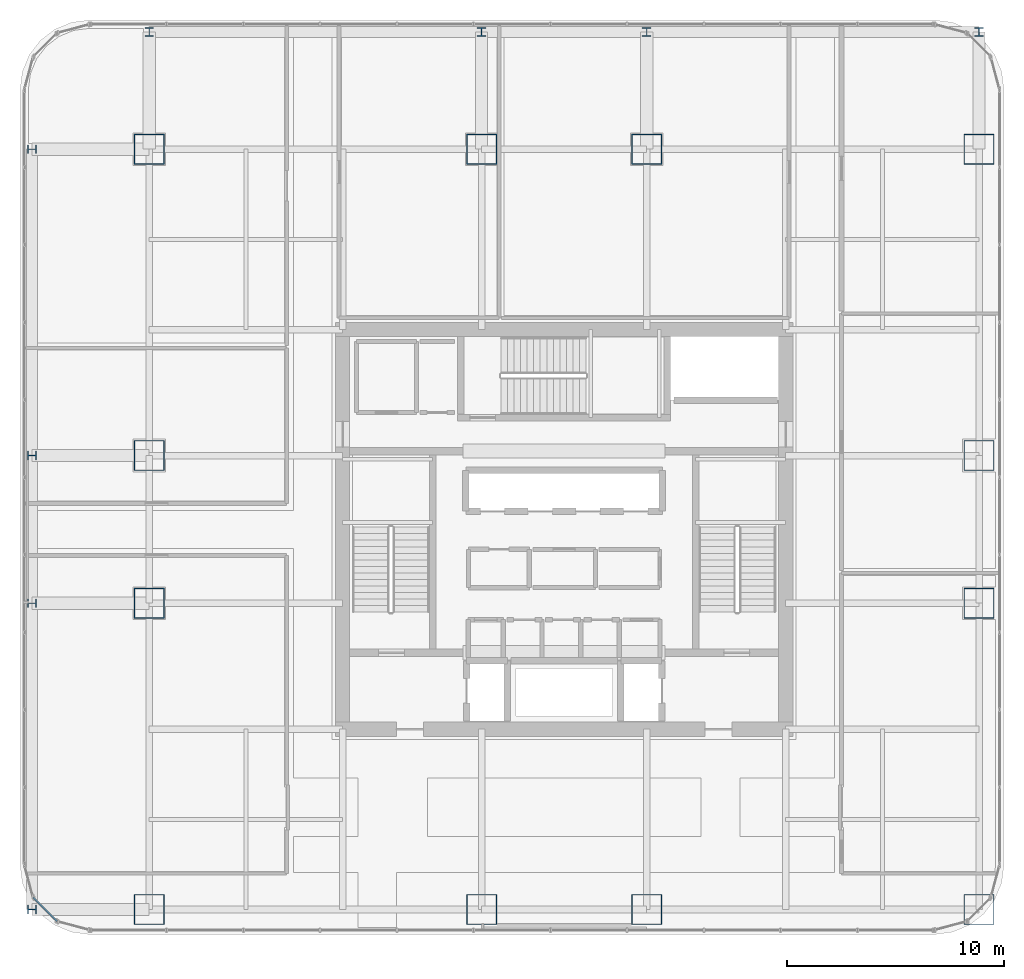
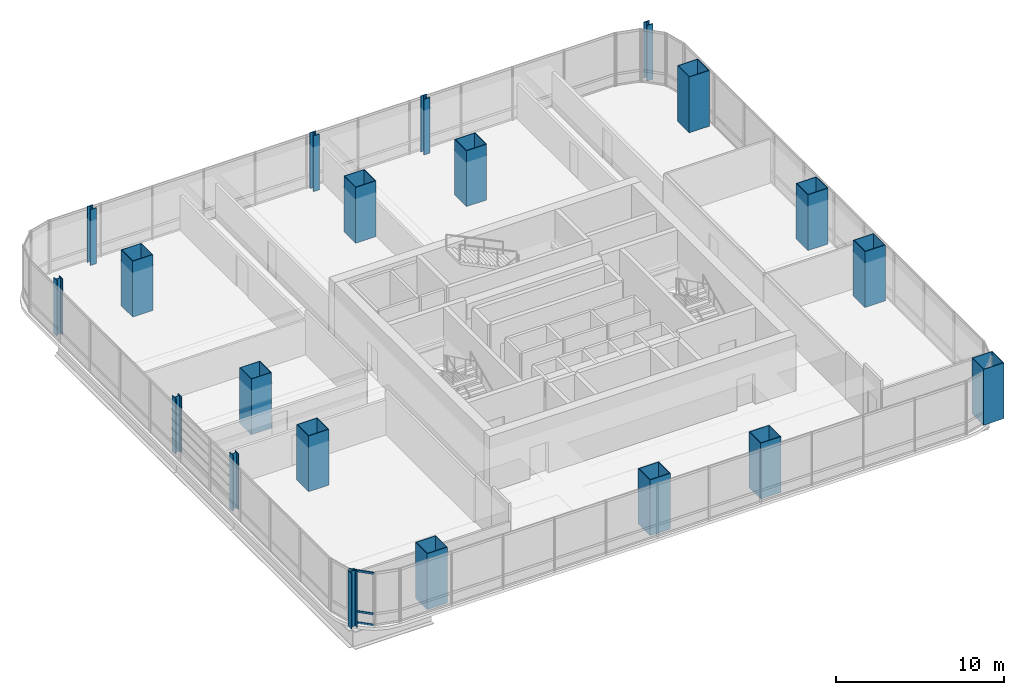
# One storey, part 1 of 38: 20 columns, 3 members, 1 element without a shape of its own.
"""IFC4 building model written with IfcOpenShell, lengths in metres."""

from ifc_helpers import new_model, si_unit, direction, frame, origin, origin_2d, place, context, subcontext, project, spatial, hollow_rectangle, i_section, extrude, material, material_profile, profile_set, type_object, element, aggregate, save


model = new_model("IFC4")

# Units and contexts
model_context = context("Model", 3, precision=1e-05, world=origin(), true_north=direction((0.0, 1.0)))
body_context = subcontext(model_context, "Body", "Model", "MODEL_VIEW")
ifc_project = project(units=[si_unit("LENGTHUNIT", "METRE"), si_unit("AREAUNIT", "SQUARE_METRE"), si_unit("VOLUMEUNIT", "CUBIC_METRE"), si_unit("PLANEANGLEUNIT", "RADIAN"), si_unit("MASSUNIT", "GRAM", prefix="KILO")], contexts=[model_context])

# Site, building, storey
site_placement = place(None, origin())
site = spatial("IfcSite", under=ifc_project, at=site_placement, CompositionType="ELEMENT")
building_placement = place(site_placement, origin())
building = spatial("IfcBuilding", under=site, at=building_placement, Name="Punatoya Terracotta Tower", CompositionType="ELEMENT")
storey_placement = place(building_placement, frame((0.0, 0.0, 151.949951171875)))
storey = spatial("IfcBuildingStorey", under=building, at=storey_placement, Name="L35", CompositionType="ELEMENT", Elevation=151.949951171875)

# Columns
ifc_material_1 = material(Name="Steel S460", Category="steel")
ifc_material_profile_1 = material_profile(ifc_material_1, i_section(OverallWidth=0.408935546875, OverallDepth=0.425048828125, WebThickness=0.031982421875, FlangeThickness=0.052001953125, FilletRadius=0.01806640625, at=origin_2d()))
ifc_profile_set_1 = profile_set([ifc_material_profile_1], Name="Steel S460")
column_type_1 = type_object("IfcColumnType", Name="COL-EX-M2", PredefinedType="COLUMN", material=ifc_profile_set_1)
for number, where, z_axis, x_axis, name in (
    (1, (-19.10009765625, 22.89990234375, 0.0), (0.0, 0.0, 1.0), (1.0, 0.0, 0.0), "L35 Exoskeleton Perimeter Column N1"),
    (2, (-3.800048828125, 22.89990234375, 0.0), (0.0, 0.0, 1.0), (1.0, 0.0, 0.0), "L35 Exoskeleton Perimeter Column N2"),
    (3, (3.800048828125, 22.89990234375, 0.0), (0.0, 0.0, 1.0), (1.0, 0.0, 0.0), "L35 Exoskeleton Perimeter Column N3"),
    (4, (19.10009765625, 22.89990234375, 0.0), (0.0, 0.0, 1.0), (1.0, 0.0, 0.0), "L35 Exoskeleton Perimeter Column N4"),
    (5, (-24.5, -17.5, 0.0), (0.0, 0.0, 1.0), (0.0, 1.0, 0.0), "L35 Exoskeleton Perimeter Column W1"),
    (6, (-24.5, -3.39990234375, 0.0), (0.0, 0.0, 1.0), (0.0, 1.0, 0.0), "L35 Exoskeleton Perimeter Column W2"),
    (7, (-24.5, 3.39990234375, 0.0), (0.0, 0.0, 1.0), (0.0, 1.0, 0.0), "L35 Exoskeleton Perimeter Column W3"),
    (8, (-24.5, 17.5, 0.0), (0.0, 0.0, 1.0), (0.0, 1.0, 0.0), "L35 Exoskeleton Perimeter Column W4"),
):
    element("IfcColumn", number, at=place(storey_placement, frame(where, z_axis=z_axis, x_axis=x_axis)), inside=storey, type_object=column_type_1, Name=name, PredefinedType="COLUMN", context=body_context, shape_type="SweptSolid", body=[
        extrude(i_section(OverallWidth=0.408935546875, OverallDepth=0.425048828125, WebThickness=0.031982421875, FlangeThickness=0.052001953125, FilletRadius=0.01806640625, at=origin_2d()), origin(), (0.0, 0.0, 1.0), 4.048095703125),
    ])
ifc_material_profile_2 = material_profile(ifc_material_1, hollow_rectangle(XDim=1.39990234375, YDim=1.39990234375, WallThickness=0.0419921875, at=origin_2d()))
ifc_profile_set_2 = profile_set([ifc_material_profile_2], Name="Steel S460")
column_type_2 = type_object("IfcColumnType", Name="COL-MC-Z2", PredefinedType="COLUMN", material=ifc_profile_set_2)
for number, where, z_axis, x_axis, name in (
    (9, (-19.10009765625, -17.5, 0.0), (0.0, 0.0, 1.0), (1.0, 0.0, 0.0), "L35 Composite Mega-Column MC-01 (3-B)"),
    (10, (-3.800048828125, -17.5, 0.0), (0.0, 0.0, 1.0), (1.0, 0.0, 0.0), "L35 Composite Mega-Column MC-02 (5-B)"),
    (11, (3.800048828125, -17.5, 0.0), (0.0, 0.0, 1.0), (1.0, 0.0, 0.0), "L35 Composite Mega-Column MC-03 (7-B)"),
    (12, (19.10009765625, -17.5, 0.0), (0.0, 0.0, 1.0), (1.0, 0.0, 0.0), "L35 Composite Mega-Column MC-04 (9-B)"),
    (13, (19.10009765625, -3.39990234375, 0.0), (0.0, 0.0, 1.0), (1.0, 0.0, 0.0), "L35 Composite Mega-Column MC-05 (9-D)"),
    (14, (19.10009765625, 3.39990234375, 0.0), (0.0, 0.0, 1.0), (1.0, 0.0, 0.0), "L35 Composite Mega-Column MC-06 (9-E)"),
    (15, (19.10009765625, 17.5, 0.0), (0.0, 0.0, 1.0), (1.0, 0.0, 0.0), "L35 Composite Mega-Column MC-07 (9-G)"),
    (16, (3.800048828125, 17.5, 0.0), (0.0, 0.0, 1.0), (1.0, 0.0, 0.0), "L35 Composite Mega-Column MC-08 (7-G)"),
    (17, (-3.800048828125, 17.5, 0.0), (0.0, 0.0, 1.0), (1.0, 0.0, 0.0), "L35 Composite Mega-Column MC-09 (5-G)"),
    (18, (-19.10009765625, 17.5, 0.0), (0.0, 0.0, 1.0), (1.0, 0.0, 0.0), "L35 Composite Mega-Column MC-10 (3-G)"),
    (19, (-19.10009765625, 3.39990234375, 0.0), (0.0, 0.0, 1.0), (1.0, 0.0, 0.0), "L35 Composite Mega-Column MC-11 (3-E)"),
    (20, (-19.10009765625, -3.39990234375, 0.0), (0.0, 0.0, 1.0), (1.0, 0.0, 0.0), "L35 Composite Mega-Column MC-12 (3-D)"),
):
    element("IfcColumn", number, at=place(storey_placement, frame(where, z_axis=z_axis, x_axis=x_axis)), inside=storey, type_object=column_type_2, Name=name, PredefinedType="COLUMN", context=body_context, shape_type="SweptSolid", body=[
        extrude(hollow_rectangle(XDim=1.39990234375, YDim=1.39990234375, WallThickness=0.0419921875, at=origin_2d()), origin(), (0.0, 0.0, 1.0), 4.050048828125),
    ])

# Curtain wall, members
ifc_material_2 = material(Name="Aluminium 6063-T6 + Double Low-E Glass", Category="aluminium")
curtain_wall_type = type_object("IfcCurtainWallType", Name="CW-M2", PredefinedType="NOTDEFINED", material=ifc_material_2)
curtain_wall_placement = place(storey_placement, origin())
curtain_wall = element("IfcCurtainWall", 21, at=curtain_wall_placement, inside=storey, type_object=curtain_wall_type, Name="L35 Curtain Wall CW-L35-CRN15", PredefinedType="NOTDEFINED")
ifc_material_3 = material(Name="Aluminium 6063-T6", Category="aluminium")
ifc_material_profile_3 = material_profile(ifc_material_3, hollow_rectangle(XDim=0.068115234375, YDim=0.14990234375, WallThickness=0.00390625, at=origin_2d()))
ifc_profile_set_3 = profile_set([ifc_material_profile_3], Name="Aluminium 6063-T6")
member_type = type_object("IfcMemberType", Name="CW-TRN-TYP", PredefinedType="USERDEFINED", material=ifc_profile_set_3)
member_1_placement = place(storey_placement, frame((-24.446533203125, -16.94921875, 0.0400390625), z_axis=(0.707106781187, -0.707106781187, 0.0), x_axis=(0.707106781187, 0.707106781187, 0.0)))
member_1 = element("IfcMember", 22, at=member_1_placement, type_object=member_type, Name="CW-L35-CRN15 Transom 1", ObjectType="TRANSOM", PredefinedType="USERDEFINED", context=body_context, shape_type="SweptSolid", body=[
    extrude(hollow_rectangle(XDim=0.068115234375, YDim=0.14990234375, WallThickness=0.00390625, at=origin_2d()), origin(), (0.0, 0.0, 1.0), 1.552001953125),
])
member_2_placement = place(storey_placement, frame((-24.446533203125, -16.94921875, 0.85009765625), z_axis=(0.707106781187, -0.707106781187, 0.0), x_axis=(0.707106781187, 0.707106781187, 0.0)))
member_2 = element("IfcMember", 23, at=member_2_placement, type_object=member_type, Name="CW-L35-CRN15 Transom 2", ObjectType="TRANSOM", PredefinedType="USERDEFINED", context=body_context, shape_type="SweptSolid", body=[
    extrude(hollow_rectangle(XDim=0.068115234375, YDim=0.14990234375, WallThickness=0.00390625, at=origin_2d()), origin(), (0.0, 0.0, 1.0), 1.552001953125),
])
member_3_placement = place(storey_placement, frame((-24.446533203125, -16.94921875, 3.7900390625), z_axis=(0.707106781187, -0.707106781187, 0.0), x_axis=(0.707106781187, 0.707106781187, 0.0)))
member_3 = element("IfcMember", 24, at=member_3_placement, type_object=member_type, Name="CW-L35-CRN15 Transom 3", ObjectType="TRANSOM", PredefinedType="USERDEFINED", context=body_context, shape_type="SweptSolid", body=[
    extrude(hollow_rectangle(XDim=0.068115234375, YDim=0.14990234375, WallThickness=0.00390625, at=origin_2d()), origin(), (0.0, 0.0, 1.0), 1.552001953125),
])
aggregate(curtain_wall, [member_1, member_2, member_3])

save(model, "model.ifc")
